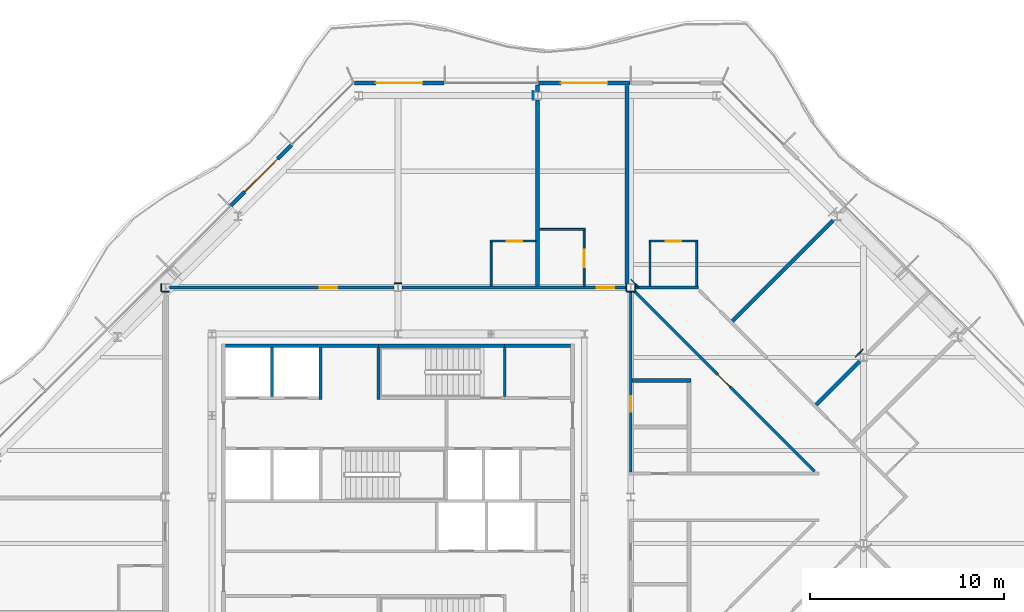
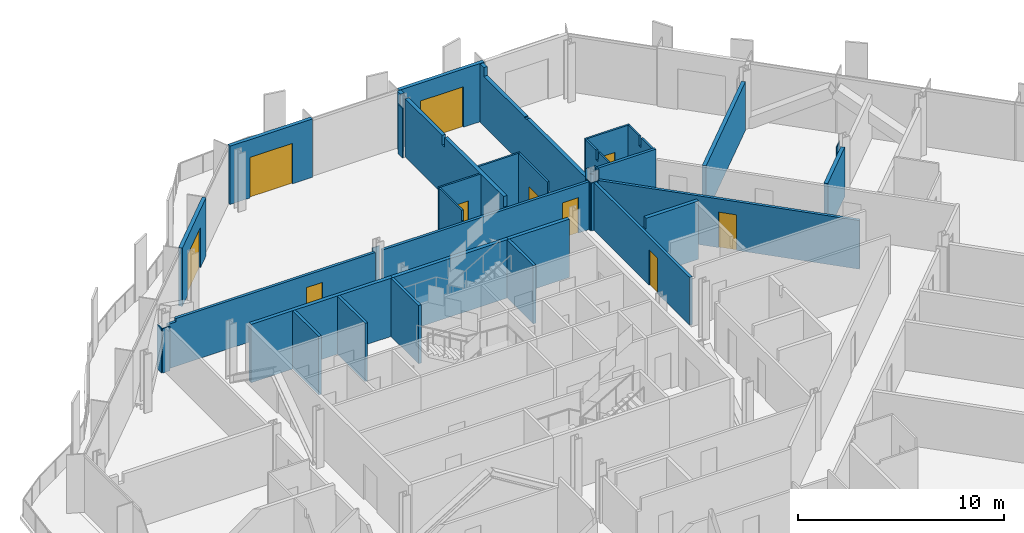
# One storey, part 11 of 17: 37 walls, 10 doors, 10 openings.
"""IFC4 building model written with IfcOpenShell, lengths in metres."""

from ifc_helpers import new_model, si_unit, direction, frame, frame_2d, origin, place, context, subcontext, project, spatial, polyline, rectangle, outline, extrude, material, layer, layer_set, type_object, element, fill, save


model = new_model("IFC4")

# Units and contexts
model_context = context("Model", 3, precision=1e-05, world=origin(), true_north=direction((0.0, 1.0)))
body_context = subcontext(model_context, "Body", "Model", "MODEL_VIEW")
ifc_project = project(units=[si_unit("LENGTHUNIT", "METRE"), si_unit("AREAUNIT", "SQUARE_METRE"), si_unit("VOLUMEUNIT", "CUBIC_METRE"), si_unit("PLANEANGLEUNIT", "RADIAN"), si_unit("MASSUNIT", "GRAM", prefix="KILO")], contexts=[model_context])

# Site, building, storey
site_placement = place(None, origin())
site = spatial("IfcSite", under=ifc_project, at=site_placement, CompositionType="ELEMENT")
building_placement = place(site_placement, origin())
building = spatial("IfcBuilding", under=site, at=building_placement, Name="Cairn Pilgrim Tower", CompositionType="ELEMENT")
storey_placement = place(building_placement, frame((0.0, 0.0, 221.39990234375)))
storey = spatial("IfcBuildingStorey", under=building, at=storey_placement, Name="L56", CompositionType="ELEMENT", Elevation=221.39990234375)

# Wall, opening, door
ifc_material_1 = material(Name="Bronze anodised aluminium insulated sandwich panel with mineral wool fill", Category="aluminium")
ifc_layer_1 = layer(ifc_material_1, 0.199951171875)
ifc_layer_set_1 = layer_set([ifc_layer_1], Name="BRONZE INFILL FRAME WALL 200")
wall_type_1 = type_object("IfcWallType", Name="BRONZE INFILL FRAME WALL 200", PredefinedType="NOTDEFINED", material=ifc_layer_set_1)
wall_1_placement = place(storey_placement, frame((19.169921875, 23.75, 0.0), z_axis=(0.0, 0.0, 1.0), x_axis=(-1.0, 0.0, 0.0)))
wall_1 = element("IfcWall", 1, at=wall_1_placement, inside=storey, type_object=wall_type_1, Name="Bronze infill frame wall IW-N2", PredefinedType="NOTDEFINED", context=body_context, shape_type="SweptSolid", body=[
    extrude(rectangle(XDim=4.739990234375, YDim=0.199951171875, at=frame_2d((2.3701171875, 0.0))), origin(), (0.0, 0.0, 1.0), 3.4501953125),
])
opening_1_placement = place(wall_1_placement, frame((1.17041015625, 0.0, 0.0)))
opening_1 = element("IfcOpeningElement", 2, at=opening_1_placement, cuts=wall_1, Name="Opening 5609B", PredefinedType="OPENING", context=body_context, shape_type="SweptSolid", body=[
    extrude(rectangle(XDim=2.39990234375, YDim=2.39990234375, at=frame_2d((1.199951171875, 1.199951171875))), frame((0.0, 0.10986328125, 0.0), z_axis=(0.0, -1.0, 0.0), x_axis=(1.0, 0.0, 0.0)), (0.0, 0.0, 1.0), 0.219970703125),
])
ifc_material_2 = material(Name="Bronze anodised aluminium frame with tinted low-E glass", Category="aluminium")
door_type_1 = type_object("IfcDoorType", Name="BALCONY SLIDING DOOR 2400x2400", OperationType="DOUBLE_DOOR_SLIDING", PredefinedType="DOOR", material=ifc_material_2)
door_1_placement = place(opening_1_placement, origin())
door_1 = element("IfcDoor", 3, at=door_1_placement, inside=storey, type_object=door_type_1, Name="Balcony sliding door 5609B", OperationType="SINGLE_SWING_LEFT", OverallHeight=2.39990234375, OverallWidth=2.39990234375, PredefinedType="DOOR", context=body_context, shape_type="SweptSolid", body=[
    extrude(rectangle(XDim=2.39990234375, YDim=2.39990234375, at=frame_2d((1.199951171875, 1.199951171875))), frame((0.0, 0.02490234375, 0.0), z_axis=(0.0, -1.0, 0.0), x_axis=(1.0, 0.0, 0.0)), (0.0, 0.0, 1.0), 0.050048828125),
])
fill(opening_1, door_1)

wall_2_placement = place(storey_placement, frame((9.570068359375, 23.75, 0.0), z_axis=(0.0, 0.0, 1.0), x_axis=(-1.0, 0.0, 0.0)))
wall_2 = element("IfcWall", 4, at=wall_2_placement, inside=storey, type_object=wall_type_1, Name="Bronze infill frame wall IW-N4", PredefinedType="NOTDEFINED", context=body_context, shape_type="SweptSolid", body=[
    extrude(rectangle(XDim=4.62646484375, YDim=0.199951171875, at=frame_2d((2.313232421875, 0.0))), origin(), (0.0, 0.0, 1.0), 3.4501953125),
])
opening_2_placement = place(wall_2_placement, frame((1.117919921875, 0.0, 0.0)))
opening_2 = element("IfcOpeningElement", 5, at=opening_2_placement, cuts=wall_2, Name="Opening 5610B", PredefinedType="OPENING", context=body_context, shape_type="SweptSolid", body=[
    extrude(rectangle(XDim=2.39990234375, YDim=2.39990234375, at=frame_2d((1.199951171875, 1.199951171875))), frame((0.0, 0.10986328125, 0.0), z_axis=(0.0, -1.0, 0.0), x_axis=(1.0, 0.0, 0.0)), (0.0, 0.0, 1.0), 0.219970703125),
])
door_2_placement = place(opening_2_placement, origin())
door_2 = element("IfcDoor", 6, at=door_2_placement, inside=storey, type_object=door_type_1, Name="Balcony sliding door 5610B", OperationType="SINGLE_SWING_LEFT", OverallHeight=2.39990234375, OverallWidth=2.39990234375, PredefinedType="DOOR", context=body_context, shape_type="SweptSolid", body=[
    extrude(rectangle(XDim=2.39990234375, YDim=2.39990234375, at=frame_2d((1.199951171875, 1.199951171875))), frame((0.0, 0.02490234375, 0.0), z_axis=(0.0, -1.0, 0.0), x_axis=(1.0, 0.0, 0.0)), (0.0, 0.0, 1.0), 0.050048828125),
])
fill(opening_2, door_2)

wall_3_placement = place(storey_placement, frame((1.706787109375, 20.55322265625, 0.0), z_axis=(0.0, 0.0, 1.0), x_axis=(-0.707106781187, -0.707106781187, 0.0)))
wall_3 = element("IfcWall", 7, at=wall_3_placement, inside=storey, type_object=wall_type_1, Name="Bronze infill frame wall IW-NW2", PredefinedType="NOTDEFINED", context=body_context, shape_type="SweptSolid", body=[
    extrude(rectangle(XDim=4.43115234375, YDim=0.199951171875, at=frame_2d((2.215576171875, 0.0))), origin(), (0.0, 0.0, 1.0), 3.4501953125),
])
opening_3_placement = place(wall_3_placement, frame((1.015380859375, 0.0, 0.0)))
opening_3 = element("IfcOpeningElement", 8, at=opening_3_placement, cuts=wall_3, Name="Opening 5610B2", PredefinedType="OPENING", context=body_context, shape_type="SweptSolid", body=[
    extrude(rectangle(XDim=2.39990234375, YDim=2.39990234375, at=frame_2d((1.199951171875, 1.199951171875))), frame((0.0, 0.10986328125, 0.0), z_axis=(0.0, -1.0, 0.0), x_axis=(1.0, 0.0, 0.0)), (0.0, 0.0, 1.0), 0.219970703125),
])
door_3_placement = place(opening_3_placement, origin())
door_3 = element("IfcDoor", 9, at=door_3_placement, inside=storey, type_object=door_type_1, Name="Balcony sliding door 5610B2", OperationType="SINGLE_SWING_LEFT", OverallHeight=2.39990234375, OverallWidth=2.39990234375, PredefinedType="DOOR", context=body_context, shape_type="SweptSolid", body=[
    extrude(rectangle(XDim=2.39990234375, YDim=2.39990234375, at=frame_2d((1.199951171875, 1.199951171875))), frame((0.0, 0.02490234375, 0.0), z_axis=(0.0, -1.0, 0.0), x_axis=(1.0, 0.0, 0.0)), (0.0, 0.0, 1.0), 0.050048828125),
])
fill(opening_3, door_3)

# Walls
ifc_material_3 = material(Name="Concrete C32/40", Category="concrete")
ifc_layer_2 = layer(ifc_material_3, 0.199951171875)
ifc_layer_set_2 = layer_set([ifc_layer_2], Name="CORE OUTER WALL 200 EI 120")
wall_type_2 = type_object("IfcWallType", Name="CORE OUTER WALL 200 EI 120", PredefinedType="SOLIDWALL", material=ifc_layer_set_2)
wall_4_placement = place(storey_placement, frame((-1.699951171875, 10.199951171875, 0.0), z_axis=(0.0, 0.0, 1.0), x_axis=(1.0, 0.0, 0.0)))
element("IfcWall", 10, at=wall_4_placement, inside=storey, type_object=wall_type_2, Name="CW:L56:H12-1", PredefinedType="SOLIDWALL", context=body_context, shape_type="SweptSolid", body=[
    extrude(rectangle(XDim=7.89990234375, YDim=0.199951171875, at=frame_2d((3.949951171875, 0.0))), origin(), (0.0, 0.0, 1.0), 3.4501953125),
])
wall_5_placement = place(storey_placement, frame((12.699951171875, 10.199951171875, 0.0), z_axis=(0.0, 0.0, 1.0), x_axis=(1.0, 0.0, 0.0)))
element("IfcWall", 11, at=wall_5_placement, inside=storey, type_object=wall_type_2, Name="CW:L56:H12-3", PredefinedType="SOLIDWALL", context=body_context, shape_type="SweptSolid", body=[
    extrude(rectangle(XDim=3.400146484375, YDim=0.199951171875, at=frame_2d((1.7001953125, 0.0))), origin(), (0.0, 0.0, 1.0), 3.4501953125),
])
ifc_layer_3 = layer(ifc_material_3, 0.14990234375)
ifc_layer_set_3 = layer_set([ifc_layer_3], Name="CORE SHAFT WALL 150 EI 120")
wall_type_3 = type_object("IfcWallType", Name="CORE SHAFT WALL 150 EI 120", PredefinedType="SOLIDWALL", material=ifc_layer_set_3)
wall_6_placement = place(storey_placement, frame((0.699951171875, 7.574951171875, 0.0), z_axis=(0.0, 0.0, 1.0), x_axis=(0.0, 1.0, 0.0)))
element("IfcWall", 12, at=wall_6_placement, inside=storey, type_object=wall_type_3, Name="CW:L56:V15", PredefinedType="SOLIDWALL", context=body_context, shape_type="SweptSolid", body=[
    extrude(rectangle(XDim=2.525146484375, YDim=0.14990234375, at=frame_2d((1.2626953125, 0.0))), origin(), (0.0, 0.0, 1.0), 3.4501953125),
])
wall_7_placement = place(storey_placement, frame((3.199951171875, 7.425048828125, 0.0), z_axis=(0.0, 0.0, 1.0), x_axis=(0.0, 1.0, 0.0)))
element("IfcWall", 13, at=wall_7_placement, inside=storey, type_object=wall_type_3, Name="CW:L56:V17", PredefinedType="SOLIDWALL", context=body_context, shape_type="SweptSolid", body=[
    extrude(rectangle(XDim=2.675048828125, YDim=0.14990234375, at=frame_2d((1.33740234375, 0.0))), origin(), (0.0, 0.0, 1.0), 3.4501953125),
])
ifc_material_4 = material(Name="Gypsum partition")
ifc_layer_4 = layer(ifc_material_4, 0.10009765625)
ifc_layer_set_4 = layer_set([ifc_layer_4], Name="PARTITION 100 DRYWALL")
wall_type_4 = type_object("IfcWallType", Name="PARTITION 100 DRYWALL", PredefinedType="PARTITIONING", material=ifc_layer_set_4)
wall_8_placement = place(storey_placement, frame((12.0, 13.27490234375, 0.0), z_axis=(0.0, 0.0, 1.0), x_axis=(0.0, 1.0, 0.0)))
element("IfcWall", 14, at=wall_8_placement, inside=storey, type_object=wall_type_4, Name="PARTITION W065", PredefinedType="PARTITIONING", context=body_context, shape_type="SweptSolid", body=[
    extrude(outline(polyline([(0.0, 0.0), (2.275146484375, 0.0), (2.27490234375, 3.4501953125), (0.074951171875, 3.4501953125), (0.072998046875, 2.830078125), (0.0, 2.830078125), (0.0, 0.0)])), frame((0.0, 0.050048828125, 0.0), z_axis=(0.0, -1.0, 0.0), x_axis=(1.0, 0.0, 0.0)), (0.0, 0.0, 1.0), 0.10009765625),
])

# Wall, opening, door
wall_9_placement = place(storey_placement, frame((16.800048828125, 13.27490234375, 0.0), z_axis=(0.0, 0.0, 1.0), x_axis=(0.0, 1.0, 0.0)))
wall_9 = element("IfcWall", 15, at=wall_9_placement, inside=storey, type_object=wall_type_4, Name="PARTITION W067", PredefinedType="PARTITIONING", context=body_context, shape_type="SweptSolid", body=[
    extrude(outline(polyline([(0.0, 0.0), (2.875, 0.0), (2.875, 3.4501953125), (0.074951171875, 3.4501953125), (0.072998046875, 2.830078125), (0.0, 2.830078125), (0.0, 0.0)])), frame((0.0, 0.050048828125, 0.0), z_axis=(0.0, -1.0, 0.0), x_axis=(1.0, 0.0, 0.0)), (0.0, 0.0, 1.0), 0.10009765625),
])
opening_4_placement = place(wall_9_placement, frame((0.97509765625, 0.0, 0.0)))
opening_4 = element("IfcOpeningElement", 16, at=opening_4_placement, cuts=wall_9, Name="Opening 5609A", PredefinedType="OPENING", context=body_context, shape_type="SweptSolid", body=[
    extrude(rectangle(XDim=0.89990234375, YDim=2.10009765625, at=frame_2d((0.449951171875, 1.050048828125))), frame((0.0, 0.06005859375, 0.0), z_axis=(0.0, -1.0, 0.0), x_axis=(1.0, 0.0, 0.0)), (0.0, 0.0, 1.0), 0.1201171875),
])
ifc_material_5 = material(Name="Timber door leaf", Category="wood")
door_type_2 = type_object("IfcDoorType", Name="WC DOOR 900x2100", OperationType="NOTDEFINED", PredefinedType="DOOR", material=ifc_material_5)
door_4_placement = place(opening_4_placement, frame((0.89990234375, 0.0, 0.0), z_axis=(0.0, 0.0, 1.0), x_axis=(-1.0, 0.0, 0.0)))
door_4 = element("IfcDoor", 17, at=door_4_placement, inside=storey, type_object=door_type_2, Name="DOOR 5609A", OperationType="SINGLE_SWING_LEFT", OverallHeight=2.10009765625, OverallWidth=0.89990234375, PredefinedType="DOOR", context=body_context, shape_type="SweptSolid", body=[
    extrude(rectangle(XDim=0.89990234375, YDim=2.10009765625, at=frame_2d((0.449951171875, 1.050048828125))), frame((0.0, 0.02490234375, 0.0), z_axis=(0.0, -1.0, 0.0), x_axis=(1.0, 0.0, 0.0)), (0.0, 0.0, 1.0), 0.050048828125),
])
fill(opening_4, door_4)

# Walls
for number, where, z_axis, x_axis, name in (
    (18, (20.194091796875, 13.27490234375, 0.0), (0.0, 0.0, 1.0), (0.0, 1.0, 0.0), "PARTITION W068"),
    (19, (22.593994140625, 13.27490234375, 0.0), (0.0, 0.0, 1.0), (0.0, 1.0, 0.0), "PARTITION W069"),
):
    element("IfcWall", number, at=place(storey_placement, frame(where, z_axis=z_axis, x_axis=x_axis)), inside=storey, type_object=wall_type_4, Name=name, PredefinedType="PARTITIONING", context=body_context, shape_type="SweptSolid", body=[
        extrude(outline(polyline([(0.0, 0.0), (2.275146484375, 0.0), (2.27490234375, 3.4501953125), (1.22998046875, 3.4501953125), (1.22802734375, 2.880126953125), (1.02001953125, 2.880126953125), (1.01806640625, 3.4501953125), (0.0, 3.4501953125), (0.0, 0.0)])), frame((0.0, 0.050048828125, 0.0), z_axis=(0.0, -1.0, 0.0), x_axis=(1.0, 0.0, 0.0)), (0.0, 0.0, 1.0), 0.10009765625),
    ])

# Wall, opening, door
wall_10_placement = place(storey_placement, frame((11.949951171875, 15.60009765625, 0.0), z_axis=(0.0, 0.0, 1.0), x_axis=(1.0, 0.0, 0.0)))
wall_10 = element("IfcWall", 20, at=wall_10_placement, inside=storey, type_object=wall_type_4, Name="PARTITION W071", PredefinedType="PARTITIONING", context=body_context, shape_type="SweptSolid", body=[
    extrude(rectangle(XDim=2.35009765625, YDim=0.10009765625, at=frame_2d((1.175048828125, 0.0))), origin(), (0.0, 0.0, 1.0), 3.4501953125),
])
opening_5_placement = place(wall_10_placement, frame((0.85009765625, 0.0, 0.0)))
opening_5 = element("IfcOpeningElement", 21, at=opening_5_placement, cuts=wall_10, Name="Opening 5610A", PredefinedType="OPENING", context=body_context, shape_type="SweptSolid", body=[
    extrude(rectangle(XDim=0.800048828125, YDim=2.10009765625, at=frame_2d((0.39990234375, 1.050048828125))), frame((0.0, 0.06005859375, 0.0), z_axis=(0.0, -1.0, 0.0), x_axis=(1.0, 0.0, 0.0)), (0.0, 0.0, 1.0), 0.1201171875),
])
door_type_3 = type_object("IfcDoorType", Name="WC DOOR 800x2100", OperationType="NOTDEFINED", PredefinedType="DOOR", material=ifc_material_5)
door_5_placement = place(opening_5_placement, origin())
door_5 = element("IfcDoor", 22, at=door_5_placement, inside=storey, type_object=door_type_3, Name="DOOR 5610A", OperationType="SINGLE_SWING_RIGHT", OverallHeight=2.10009765625, OverallWidth=0.800048828125, PredefinedType="DOOR", context=body_context, shape_type="SweptSolid", body=[
    extrude(rectangle(XDim=0.800048828125, YDim=2.10009765625, at=frame_2d((0.39990234375, 1.050048828125))), frame((0.0, 0.02490234375, 0.0), z_axis=(0.0, -1.0, 0.0), x_axis=(1.0, 0.0, 0.0)), (0.0, 0.0, 1.0), 0.050048828125),
])
fill(opening_5, door_5)

wall_11_placement = place(storey_placement, frame((20.14404296875, 15.60009765625, 0.0), z_axis=(0.0, 0.0, 1.0), x_axis=(1.0, 0.0, 0.0)))
wall_11 = element("IfcWall", 23, at=wall_11_placement, inside=storey, type_object=wall_type_4, Name="PARTITION W072", PredefinedType="PARTITIONING", context=body_context, shape_type="SweptSolid", body=[
    extrude(rectangle(XDim=2.5, YDim=0.10009765625, at=frame_2d((1.25, 0.0))), origin(), (0.0, 0.0, 1.0), 3.4501953125),
])
opening_6_placement = place(wall_11_placement, frame((0.85009765625, 0.0, 0.0)))
opening_6 = element("IfcOpeningElement", 24, at=opening_6_placement, cuts=wall_11, Name="Opening 5608A", PredefinedType="OPENING", context=body_context, shape_type="SweptSolid", body=[
    extrude(rectangle(XDim=0.800048828125, YDim=2.10009765625, at=frame_2d((0.39990234375, 1.050048828125))), frame((0.0, 0.06005859375, 0.0), z_axis=(0.0, -1.0, 0.0), x_axis=(1.0, 0.0, 0.0)), (0.0, 0.0, 1.0), 0.1201171875),
])
door_6_placement = place(opening_6_placement, origin())
door_6 = element("IfcDoor", 25, at=door_6_placement, inside=storey, type_object=door_type_3, Name="DOOR 5608A", OperationType="SINGLE_SWING_LEFT", OverallHeight=2.10009765625, OverallWidth=0.800048828125, PredefinedType="DOOR", context=body_context, shape_type="SweptSolid", body=[
    extrude(rectangle(XDim=0.800048828125, YDim=2.10009765625, at=frame_2d((0.39990234375, 1.050048828125))), frame((0.0, 0.02490234375, 0.0), z_axis=(0.0, -1.0, 0.0), x_axis=(1.0, 0.0, 0.0)), (0.0, 0.0, 1.0), 0.050048828125),
])
fill(opening_6, door_6)

# Wall
wall_12_placement = place(storey_placement, frame((14.5, 16.199951171875, 0.0), z_axis=(0.0, 0.0, 1.0), x_axis=(1.0, 0.0, 0.0)))
element("IfcWall", 26, at=wall_12_placement, inside=storey, type_object=wall_type_4, Name="PARTITION W073", PredefinedType="PARTITIONING", context=body_context, shape_type="SweptSolid", body=[
    extrude(rectangle(XDim=2.35009765625, YDim=0.10009765625, at=frame_2d((1.175048828125, 0.0))), origin(), (0.0, 0.0, 1.0), 3.4501953125),
])

# Wall, opening, door
ifc_layer_5 = layer(ifc_material_4, 0.14990234375)
ifc_layer_set_5 = layer_set([ifc_layer_5], Name="PARTITION 150 DRYWALL EI 60")
wall_type_5 = type_object("IfcWallType", Name="PARTITION 150 DRYWALL EI 60", PredefinedType="PARTITIONING", material=ifc_layer_set_5)
wall_13_placement = place(storey_placement, frame((19.199951171875, 3.675048828125, 0.0), z_axis=(0.0, 0.0, 1.0), x_axis=(0.0, 1.0, 0.0)))
wall_13 = element("IfcWall", 27, at=wall_13_placement, inside=storey, type_object=wall_type_5, Name="PARTITION W051", PredefinedType="PARTITIONING", context=body_context, shape_type="SweptSolid", body=[
    extrude(rectangle(XDim=9.328369140625, YDim=0.14990234375, at=frame_2d((4.6640625, 0.0))), origin(), (0.0, 0.0, 1.0), 2.830078125),
])
opening_7_placement = place(wall_13_placement, frame((3.125, 0.0, 0.0)))
opening_7 = element("IfcOpeningElement", 28, at=opening_7_placement, cuts=wall_13, Name="Opening 5617", PredefinedType="OPENING", context=body_context, shape_type="SweptSolid", body=[
    extrude(rectangle(XDim=0.800048828125, YDim=2.10009765625, at=frame_2d((0.39990234375, 1.050048828125))), frame((0.0, 0.0849609375, 0.0), z_axis=(0.0, -1.0, 0.0), x_axis=(1.0, 0.0, 0.0)), (0.0, 0.0, 1.0), 0.169921875),
])
door_type_4 = type_object("IfcDoorType", Name="WC DOOR 800x2100 FD30S", OperationType="NOTDEFINED", PredefinedType="DOOR", material=ifc_material_5)
door_7_placement = place(opening_7_placement, frame((0.800048828125, 0.0, 0.0), z_axis=(0.0, 0.0, 1.0), x_axis=(-1.0, 0.0, 0.0)))
door_7 = element("IfcDoor", 29, at=door_7_placement, inside=storey, type_object=door_type_4, Name="DOOR 5617", OperationType="SINGLE_SWING_RIGHT", OverallHeight=2.10009765625, OverallWidth=0.800048828125, PredefinedType="DOOR", context=body_context, shape_type="SweptSolid", body=[
    extrude(rectangle(XDim=0.800048828125, YDim=2.10009765625, at=frame_2d((0.39990234375, 1.050048828125))), frame((0.0, 0.02490234375, 0.0), z_axis=(0.0, -1.0, 0.0), x_axis=(1.0, 0.0, 0.0)), (0.0, 0.0, 1.0), 0.050048828125),
])
fill(opening_7, door_7)

wall_14_placement = place(storey_placement, frame((28.672119140625, 3.72802734375, 0.0), z_axis=(0.0, 0.0, 1.0), x_axis=(-0.707116088468, 0.707097473782, 0.0)))
wall_14 = element("IfcWall", 30, at=wall_14_placement, inside=storey, type_object=wall_type_5, Name="PARTITION W053", PredefinedType="PARTITIONING", context=body_context, shape_type="SweptSolid", body=[
    extrude(rectangle(XDim=13.115478515625, YDim=0.14990234375, at=frame_2d((6.5576171875, 0.0))), origin(), (0.0, 0.0, 1.0), 2.880126953125),
])
opening_8_placement = place(wall_14_placement, frame((6.156982421875, 0.0, 0.0)))
opening_8 = element("IfcOpeningElement", 31, at=opening_8_placement, cuts=wall_14, Name="Opening 5621", PredefinedType="OPENING", context=body_context, shape_type="SweptSolid", body=[
    extrude(rectangle(XDim=0.89990234375, YDim=2.10009765625, at=frame_2d((0.449951171875, 1.050048828125))), frame((0.0, 0.0849609375, 0.0), z_axis=(0.0, -1.0, 0.0), x_axis=(1.0, 0.0, 0.0)), (0.0, 0.0, 1.0), 0.169921875),
])
door_type_5 = type_object("IfcDoorType", Name="SERVICE DOOR 900x2100 FD30S", OperationType="NOTDEFINED", PredefinedType="DOOR", material=ifc_material_5)
door_8_placement = place(opening_8_placement, origin())
door_8 = element("IfcDoor", 32, at=door_8_placement, inside=storey, type_object=door_type_5, Name="DOOR 5621", OperationType="SINGLE_SWING_LEFT", OverallHeight=2.10009765625, OverallWidth=0.89990234375, PredefinedType="DOOR", context=body_context, shape_type="SweptSolid", body=[
    extrude(rectangle(XDim=0.89990234375, YDim=2.10009765625, at=frame_2d((0.449951171875, 1.050048828125))), frame((0.0, 0.02490234375, 0.0), z_axis=(0.0, -1.0, 0.0), x_axis=(1.0, 0.0, 0.0)), (0.0, 0.0, 1.0), 0.050048828125),
])
fill(opening_8, door_8)

wall_15_placement = place(storey_placement, frame((-4.6005859375, 13.199951171875, 0.0), z_axis=(0.0, 0.0, 1.0), x_axis=(1.0, 0.0, 0.0)))
wall_15 = element("IfcWall", 33, at=wall_15_placement, inside=storey, type_object=wall_type_5, Name="PARTITION W062", PredefinedType="PARTITIONING", context=body_context, shape_type="SweptSolid", body=[
    extrude(outline(polyline([(0.0, 0.0), (11.60107421875, 0.0), (11.60107421875, 2.830078125), (0.443359375, 2.830078125), (0.44140625, 2.630126953125), (0.0, 2.630126953125), (0.0, 0.0)])), frame((0.0, 0.074951171875, 0.0), z_axis=(0.0, -1.0, 0.0), x_axis=(1.0, 0.0, 0.0)), (0.0, 0.0, 1.0), 0.14990234375),
])
opening_9_placement = place(wall_15_placement, frame((7.75048828125, 0.0, 0.0)))
opening_9 = element("IfcOpeningElement", 34, at=opening_9_placement, cuts=wall_15, Name="Opening 5610", PredefinedType="OPENING", context=body_context, shape_type="SweptSolid", body=[
    extrude(rectangle(XDim=0.89990234375, YDim=2.10009765625, at=frame_2d((0.449951171875, 1.050048828125))), frame((0.0, 0.0849609375, 0.0), z_axis=(0.0, -1.0, 0.0), x_axis=(1.0, 0.0, 0.0)), (0.0, 0.0, 1.0), 0.169921875),
])
door_type_6 = type_object("IfcDoorType", Name="ROOM DOOR 900x2100 FD30S", OperationType="NOTDEFINED", PredefinedType="DOOR", material=ifc_material_5)
door_9_placement = place(opening_9_placement, origin())
door_9 = element("IfcDoor", 35, at=door_9_placement, inside=storey, type_object=door_type_6, Name="DOOR 5610", OperationType="SINGLE_SWING_RIGHT", OverallHeight=2.10009765625, OverallWidth=0.89990234375, PredefinedType="DOOR", context=body_context, shape_type="SweptSolid", body=[
    extrude(rectangle(XDim=0.89990234375, YDim=2.10009765625, at=frame_2d((0.449951171875, 1.050048828125))), frame((0.0, 0.02490234375, 0.0), z_axis=(0.0, -1.0, 0.0), x_axis=(1.0, 0.0, 0.0)), (0.0, 0.0, 1.0), 0.050048828125),
])
fill(opening_9, door_9)

wall_16_placement = place(storey_placement, frame((7.3994140625, 13.199951171875, 0.0), z_axis=(0.0, 0.0, 1.0), x_axis=(1.0, 0.0, 0.0)))
wall_16 = element("IfcWall", 36, at=wall_16_placement, inside=storey, type_object=wall_type_5, Name="PARTITION W063", PredefinedType="PARTITIONING", context=body_context, shape_type="SweptSolid", body=[
    extrude(rectangle(XDim=11.60107421875, YDim=0.14990234375, at=frame_2d((5.800537109375, 0.0))), origin(), (0.0, 0.0, 1.0), 2.830078125),
])
opening_10_placement = place(wall_16_placement, frame((10.0576171875, 0.0, 0.0)))
opening_10 = element("IfcOpeningElement", 37, at=opening_10_placement, cuts=wall_16, Name="Opening 5609", PredefinedType="OPENING", context=body_context, shape_type="SweptSolid", body=[
    extrude(rectangle(XDim=0.89990234375, YDim=2.10009765625, at=frame_2d((0.449951171875, 1.050048828125))), frame((0.0, 0.0849609375, 0.0), z_axis=(0.0, -1.0, 0.0), x_axis=(1.0, 0.0, 0.0)), (0.0, 0.0, 1.0), 0.169921875),
])
door_10_placement = place(opening_10_placement, origin())
door_10 = element("IfcDoor", 38, at=door_10_placement, inside=storey, type_object=door_type_6, Name="DOOR 5609", OperationType="SINGLE_SWING_LEFT", OverallHeight=2.10009765625, OverallWidth=0.89990234375, PredefinedType="DOOR", context=body_context, shape_type="SweptSolid", body=[
    extrude(rectangle(XDim=0.89990234375, YDim=2.10009765625, at=frame_2d((0.449951171875, 1.050048828125))), frame((0.0, 0.02490234375, 0.0), z_axis=(0.0, -1.0, 0.0), x_axis=(1.0, 0.0, 0.0)), (0.0, 0.0, 1.0), 0.050048828125),
])
fill(opening_10, door_10)

# Walls
wall_17_placement = place(storey_placement, frame((19.3994140625, 13.199951171875, 0.0), z_axis=(0.0, 0.0, 1.0), x_axis=(1.0, 0.0, 0.0)))
element("IfcWall", 39, at=wall_17_placement, inside=storey, type_object=wall_type_5, Name="PARTITION W064", PredefinedType="PARTITIONING", context=body_context, shape_type="SweptSolid", body=[
    extrude(rectangle(XDim=3.30078125, YDim=0.14990234375, at=frame_2d((1.650390625, 0.0))), origin(), (0.0, 0.0, 1.0), 3.4501953125),
])
ifc_layer_6 = layer(ifc_material_4, 0.050048828125)
ifc_layer_set_6 = layer_set([ifc_layer_6], Name="PARTITION 50 DRYWALL EI 60")
wall_type_6 = type_object("IfcWallType", Name="PARTITION 50 DRYWALL EI 60", PredefinedType="PARTITIONING", material=ifc_layer_set_6)
wall_18_placement = place(storey_placement, frame((-5.0244140625, 13.00341796875, 0.0), z_axis=(0.0, 0.0, 1.0), x_axis=(0.0, 1.0, 0.0)))
element("IfcWall", 40, at=wall_18_placement, inside=storey, type_object=wall_type_6, Name="COLUMN CASING WC10", PredefinedType="PARTITIONING", context=body_context, shape_type="SweptSolid", body=[
    extrude(rectangle(XDim=0.39306640625, YDim=0.050048828125, at=frame_2d((0.196533203125, 0.0))), origin(), (0.0, 0.0, 1.0), 2.630126953125),
])
wall_19_placement = place(storey_placement, frame((18.9755859375, 13.00341796875, 0.0), z_axis=(0.0, 0.0, 1.0), x_axis=(0.0, 1.0, 0.0)))
element("IfcWall", 41, at=wall_19_placement, inside=storey, type_object=wall_type_6, Name="COLUMN CASING WC17", PredefinedType="PARTITIONING", context=body_context, shape_type="SweptSolid", body=[
    extrude(rectangle(XDim=0.39306640625, YDim=0.050048828125, at=frame_2d((0.196533203125, 0.0))), origin(), (0.0, 0.0, 1.0), 2.830078125),
])
wall_20_placement = place(storey_placement, frame((19.61376953125, 13.2177734375, 0.0), z_axis=(0.0, 0.0, 1.0), x_axis=(-0.707106781187, 0.707106781187, 0.0)))
element("IfcWall", 42, at=wall_20_placement, inside=storey, type_object=wall_type_6, Name="COLUMN CASING WC18", PredefinedType="PARTITIONING", context=body_context, shape_type="SweptSolid", body=[
    extrude(rectangle(XDim=0.56005859375, YDim=0.050048828125, at=frame_2d((0.280029296875, 0.0))), origin(), (0.0, 0.0, 1.0), 2.93017578125),
])
wall_21_placement = place(storey_placement, frame((30.786376953125, 9.61767578125, 0.0), z_axis=(0.0, 0.0, 1.0), x_axis=(0.707106781187, 0.707106781187, 0.0)))
element("IfcWall", 43, at=wall_21_placement, inside=storey, type_object=wall_type_6, Name="COLUMN CASING WC20", PredefinedType="PARTITIONING", context=body_context, shape_type="SweptSolid", body=[
    extrude(rectangle(XDim=0.56005859375, YDim=0.050048828125, at=frame_2d((0.280029296875, 0.0))), origin(), (0.0, 0.0, 1.0), 2.880126953125),
])
wall_22_placement = place(storey_placement, frame((-4.99951171875, 12.978515625, 0.0), z_axis=(0.0, 0.0, 1.0), x_axis=(1.0, 0.0, 0.0)))
element("IfcWall", 44, at=wall_22_placement, inside=storey, type_object=wall_type_6, Name="COLUMN CASING WC22", PredefinedType="PARTITIONING", context=body_context, shape_type="SweptSolid", body=[
    extrude(rectangle(XDim=0.39892578125, YDim=0.050048828125, at=frame_2d((0.199462890625, 0.0))), origin(), (0.0, 0.0, 1.0), 2.630126953125),
])
wall_23_placement = place(storey_placement, frame((7.00048828125, 13.42138671875, 0.0), z_axis=(0.0, 0.0, 1.0), x_axis=(1.0, 0.0, 0.0)))
element("IfcWall", 45, at=wall_23_placement, inside=storey, type_object=wall_type_6, Name="COLUMN CASING WC23", PredefinedType="PARTITIONING", context=body_context, shape_type="SweptSolid", body=[
    extrude(rectangle(XDim=0.39892578125, YDim=0.050048828125, at=frame_2d((0.199462890625, 0.0))), origin(), (0.0, 0.0, 1.0), 2.93017578125),
])
wall_24_placement = place(storey_placement, frame((19.00048828125, 12.978515625, 0.0), z_axis=(0.0, 0.0, 1.0), x_axis=(1.0, 0.0, 0.0)))
element("IfcWall", 46, at=wall_24_placement, inside=storey, type_object=wall_type_6, Name="COLUMN CASING WC24", PredefinedType="PARTITIONING", context=body_context, shape_type="SweptSolid", body=[
    extrude(rectangle(XDim=0.39892578125, YDim=0.050048828125, at=frame_2d((0.199462890625, 0.0))), origin(), (0.0, 0.0, 1.0), 2.830078125),
])
wall_25_placement = place(storey_placement, frame((14.1669921875, 22.876953125, 0.0), z_axis=(0.0, 0.0, 1.0), x_axis=(0.0, 1.0, 0.0)))
element("IfcWall", 47, at=wall_25_placement, inside=storey, type_object=wall_type_6, Name="COLUMN CASING WC25", PredefinedType="PARTITIONING", context=body_context, shape_type="SweptSolid", body=[
    extrude(rectangle(XDim=0.446044921875, YDim=0.050048828125, at=frame_2d((0.22314453125, 0.0))), origin(), (0.0, 0.0, 1.0), 2.93017578125),
])
wall_26_placement = place(storey_placement, frame((19.424560546875, 13.00341796875, 0.0), z_axis=(0.0, 0.0, 1.0), x_axis=(0.0, 1.0, 0.0)))
element("IfcWall", 48, at=wall_26_placement, inside=storey, type_object=wall_type_6, Name="COLUMN CASING WC26", PredefinedType="PARTITIONING", context=body_context, shape_type="SweptSolid", body=[
    extrude(rectangle(XDim=0.39306640625, YDim=0.050048828125, at=frame_2d((0.196533203125, 0.0))), origin(), (0.0, 0.0, 1.0), 3.4501953125),
])
ifc_layer_7 = layer(ifc_material_4, 0.199951171875)
ifc_layer_set_7 = layer_set([ifc_layer_7], Name="SHAFT WALL 200 GYPSUM EI 60")
wall_type_7 = type_object("IfcWallType", Name="SHAFT WALL 200 GYPSUM EI 60", PredefinedType="PARTITIONING", material=ifc_layer_set_7)
wall_27_placement = place(storey_placement, frame((28.75, 7.14990234375, 0.0), z_axis=(0.0, 0.0, 1.0), x_axis=(0.7070684525, 0.707145107796, 0.0)))
element("IfcWall", 49, at=wall_27_placement, inside=storey, type_object=wall_type_7, Name="PARTITION W057", PredefinedType="PARTITIONING", context=body_context, shape_type="SweptSolid", body=[
    extrude(rectangle(XDim=3.184814453125, YDim=0.199951171875, at=frame_2d((1.59228515625, 0.0))), origin(), (0.0, 0.0, 1.0), 2.93017578125),
])
wall_28_placement = place(storey_placement, frame((19.27490234375, 8.39990234375, 0.0), z_axis=(0.0, 0.0, 1.0), x_axis=(1.0, 0.0, 0.0)))
element("IfcWall", 50, at=wall_28_placement, inside=storey, type_object=wall_type_7, Name="PARTITION W058", PredefinedType="PARTITIONING", context=body_context, shape_type="SweptSolid", body=[
    extrude(outline(polyline([(0.0, 0.0), (3.025146484375, 0.0), (3.02490234375, 3.4501953125), (0.074951171875, 3.4501953125), (0.072998046875, 2.830078125), (0.0, 2.830078125), (0.0, 0.0)])), frame((0.0, 0.10009765625, 0.0), z_axis=(0.0, -1.0, 0.0), x_axis=(1.0, 0.0, 0.0)), (0.0, 0.0, 1.0), 0.199951171875),
])
wall_29_placement = place(storey_placement, frame((24.43798828125, 11.4619140625, 0.0), z_axis=(0.0, 0.0, 1.0), x_axis=(0.707090175614, 0.707123386369, 0.0)))
element("IfcWall", 51, at=wall_29_placement, inside=storey, type_object=wall_type_7, Name="PARTITION W061", PredefinedType="PARTITIONING", context=body_context, shape_type="SweptSolid", body=[
    extrude(rectangle(XDim=7.351318359375, YDim=0.199951171875, at=frame_2d((3.67578125, 0.0))), origin(), (0.0, 0.0, 1.0), 2.880126953125),
])
wall_30_placement = place(storey_placement, frame((14.39990234375, 13.27490234375, 0.0), z_axis=(0.0, 0.0, 1.0), x_axis=(0.0, 1.0, 0.0)))
element("IfcWall", 52, at=wall_30_placement, inside=storey, type_object=wall_type_7, Name="PARTITION W066", PredefinedType="PARTITIONING", context=body_context, shape_type="SweptSolid", body=[
    extrude(outline(polyline([(0.0, 0.0), (9.60205078125, 0.0), (9.60205078125, 3.4501953125), (6.030029296875, 3.4501953125), (6.028076171875, 2.880126953125), (5.820068359375, 2.880126953125), (5.818115234375, 3.4501953125), (0.074951171875, 3.4501953125), (0.072998046875, 2.830078125), (0.0, 2.830078125), (0.0, 0.0)])), frame((0.0, 0.10009765625, 0.0), z_axis=(0.0, -1.0, 0.0), x_axis=(1.0, 0.0, 0.0)), (0.0, 0.0, 1.0), 0.199951171875),
])
wall_31_placement = place(storey_placement, frame((19.013916015625, 13.396484375, 0.0), z_axis=(0.0, 0.0, 1.0), x_axis=(0.0, 1.0, 0.0)))
element("IfcWall", 53, at=wall_31_placement, inside=storey, type_object=wall_type_7, Name="PARTITION W070", PredefinedType="PARTITIONING", context=body_context, shape_type="SweptSolid", body=[
    extrude(outline(polyline([(0.0, 0.0), (10.2236328125, 0.0), (10.223388671875, 3.4501953125), (9.853515625, 3.4501953125), (9.8515625, 2.93017578125), (5.908447265625, 2.93017578125), (5.906494140625, 2.880126953125), (5.698486328125, 2.880126953125), (5.696533203125, 2.93017578125), (0.0029296875, 2.93017578125), (0.0009765625, 3.4501953125), (0.0, 3.4501953125), (0.0, 0.0)])), frame((0.0, 0.10009765625, 0.0), z_axis=(0.0, -1.0, 0.0), x_axis=(1.0, 0.0, 0.0)), (0.0, 0.0, 1.0), 0.199951171875),
])
wall_32_placement = place(storey_placement, frame((14.39990234375, 23.322998046875, 0.0), z_axis=(0.0, 0.0, 1.0), x_axis=(0.0, 1.0, 0.0)))
element("IfcWall", 54, at=wall_32_placement, inside=storey, type_object=wall_type_7, Name="PARTITION W075", PredefinedType="PARTITIONING", context=body_context, shape_type="SweptSolid", body=[
    extrude(rectangle(XDim=0.326904296875, YDim=0.199951171875, at=frame_2d((0.16357421875, 0.0))), origin(), (0.0, 0.0, 1.0), 3.4501953125),
])
ifc_material_6 = material(Name="Concrete C35/45", Category="concrete")
ifc_layer_8 = layer(ifc_material_6, 0.14990234375)
ifc_layer_set_8 = layer_set([ifc_layer_8], Name="STAIR SHAFT WALL 150 EI 120")
wall_type_8 = type_object("IfcWallType", Name="STAIR SHAFT WALL 150 EI 120", PredefinedType="SOLIDWALL", material=ifc_layer_set_8)
wall_33_placement = place(storey_placement, frame((6.199951171875, 7.425048828125, 0.0), z_axis=(0.0, 0.0, 1.0), x_axis=(0.0, 1.0, 0.0)))
element("IfcWall", 55, at=wall_33_placement, inside=storey, type_object=wall_type_8, Name="CW:L56:V19", PredefinedType="SOLIDWALL", context=body_context, shape_type="SweptSolid", body=[
    extrude(rectangle(XDim=2.675048828125, YDim=0.14990234375, at=frame_2d((1.33740234375, 0.0))), origin(), (0.0, 0.0, 1.0), 3.4501953125),
])
wall_34_placement = place(storey_placement, frame((12.699951171875, 7.574951171875, 0.0), z_axis=(0.0, 0.0, 1.0), x_axis=(0.0, 1.0, 0.0)))
element("IfcWall", 56, at=wall_34_placement, inside=storey, type_object=wall_type_8, Name="CW:L56:V26", PredefinedType="SOLIDWALL", context=body_context, shape_type="SweptSolid", body=[
    extrude(rectangle(XDim=2.525146484375, YDim=0.14990234375, at=frame_2d((1.2626953125, 0.0))), origin(), (0.0, 0.0, 1.0), 3.4501953125),
])
ifc_layer_9 = layer(ifc_material_6, 0.199951171875)
ifc_layer_set_9 = layer_set([ifc_layer_9], Name="STAIR SHAFT WALL 200 EI 120")
wall_type_9 = type_object("IfcWallType", Name="STAIR SHAFT WALL 200 EI 120", PredefinedType="SOLIDWALL", material=ifc_layer_set_9)
wall_35_placement = place(storey_placement, frame((6.199951171875, 10.199951171875, 0.0), z_axis=(0.0, 0.0, 1.0), x_axis=(1.0, 0.0, 0.0)))
element("IfcWall", 57, at=wall_35_placement, inside=storey, type_object=wall_type_9, Name="CW:L56:H12-2", PredefinedType="SOLIDWALL", context=body_context, shape_type="SweptSolid", body=[
    extrude(rectangle(XDim=6.5, YDim=0.199951171875, at=frame_2d((3.25, 0.0))), origin(), (0.0, 0.0, 1.0), 3.4501953125),
])

save(model, "model.ifc")
